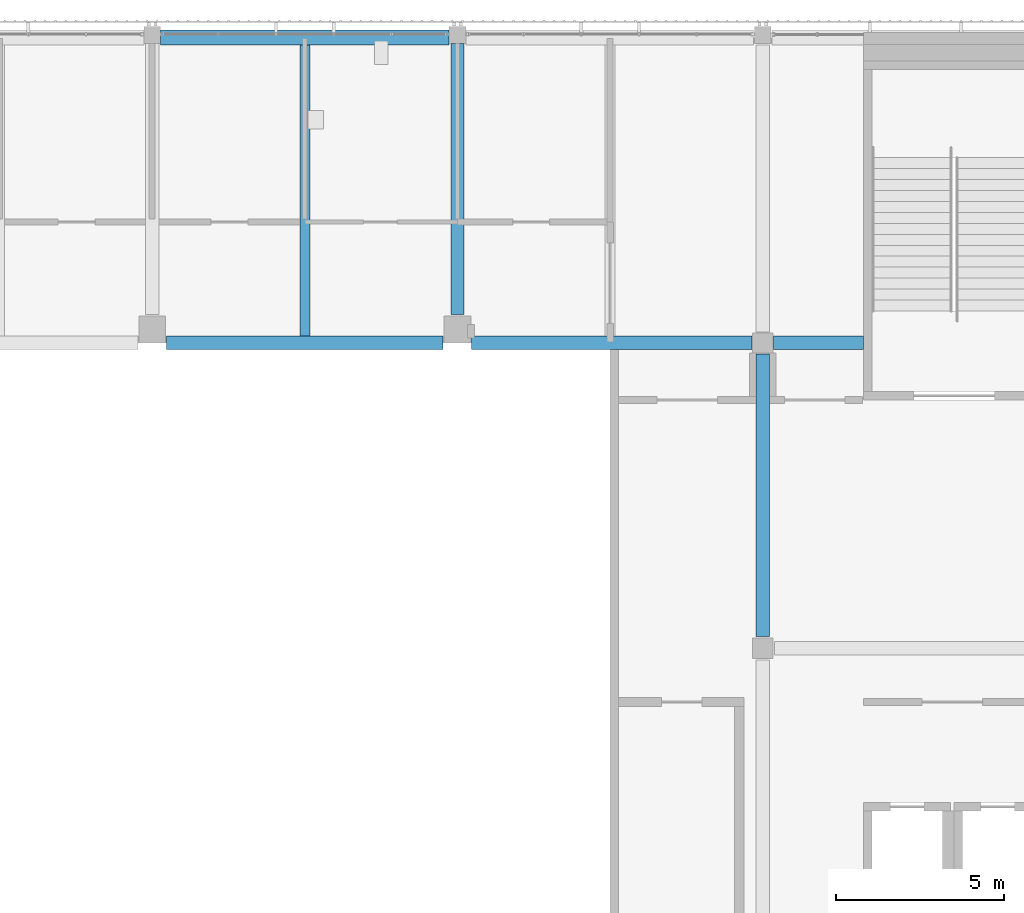
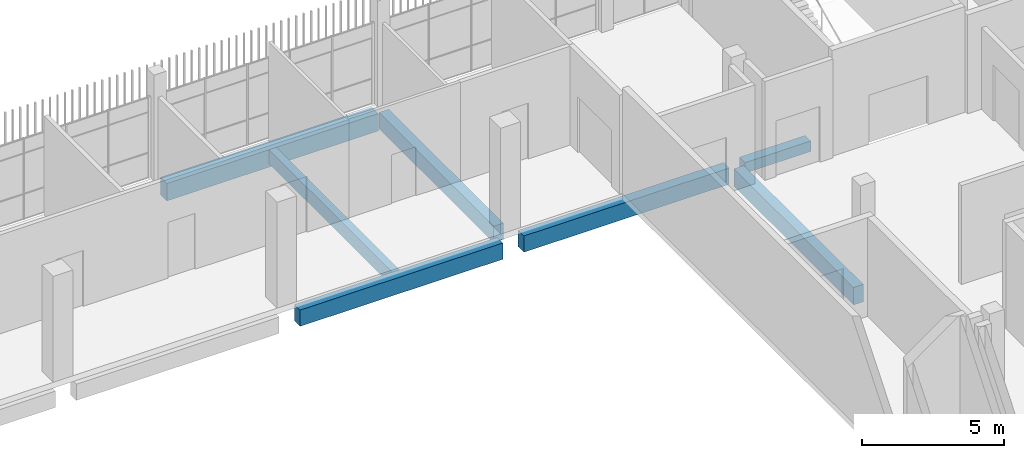
# One storey, part 45 of 124: 7 beams.
"""IFC4 building model written with IfcOpenShell, lengths in metres."""

import ifcopenshell
import ifcopenshell.guid

model = None  # the IFC model being written
_history = None  # IfcOwnerHistory: only IFC2X3 demands one
_inside = {}  # id of a spatial element -> (the spatial element, [elements in it])
_under = {}  # id of a project, library or spatial element -> (it, [spatial elements below it])
_declared = {}  # id of a project -> (the project, [libraries it declares])
_typed = {}  # id of a type object -> (the type object, [elements of that type])
_made_of = {}  # id of a material, layer set ... -> (it, [elements and type objects made of it])


def new_model(schema):
    """Start an empty IFC model of exactly this schema.

    Asked for "IFC4X3", IfcOpenShell would pick the latest addendum, in which some entities
    have other attributes; the version numbers below select the first issue.
    IFC2X3 requires an IfcOwnerHistory on every rooted entity: one is made here for all.
    """
    global model, _history
    if schema == "IFC4X3":
        model = ifcopenshell.file(schema_version=(4, 3, 0, 0))
    else:
        model = ifcopenshell.file(schema=schema)
    _inside.clear()
    _under.clear()
    _declared.clear()
    _typed.clear()
    _made_of.clear()
    _history = None
    if model.schema == "IFC2X3":
        org = make("IfcOrganization", Name="unknown")
        user = make(
            "IfcPersonAndOrganization",
            ThePerson=make("IfcPerson", FamilyName="unknown"),
            TheOrganization=org,
        )
        app = make(
            "IfcApplication",
            ApplicationDeveloper=org,
            Version="unknown",
            ApplicationFullName="unknown",
            ApplicationIdentifier="unknown",
        )
        _history = make(
            "IfcOwnerHistory",
            OwningUser=user,
            OwningApplication=app,
            ChangeAction="ADDED",
            CreationDate=0,
        )
    return model


def make(cls, **values):
    """One entity of the class cls with the attributes given. An attribute that is None is left unset."""
    return model.create_entity(
        cls, **{name: value for name, value in values.items() if value is not None}
    )


def rooted(cls, **values):
    """An entity with a GlobalId (a new one), such as an element, a storey or a relation."""
    return make(cls, GlobalId=ifcopenshell.guid.new(), OwnerHistory=_history, **values)


def si_unit(unit_type, name, prefix=None):
    """IfcSIUnit, for example si_unit("LENGTHUNIT", "METRE", prefix="MILLI")."""
    return make("IfcSIUnit", UnitType=unit_type, Prefix=prefix, Name=name)


def assignment(units):
    """IfcUnitAssignment: the units of a project."""
    return None if units is None else make("IfcUnitAssignment", Units=units)


def point(xyz):
    """IfcCartesianPoint."""
    return None if xyz is None else make("IfcCartesianPoint", Coordinates=xyz)


def direction(xyz):
    """IfcDirection."""
    return None if xyz is None else make("IfcDirection", DirectionRatios=xyz)


def frame(location, z_axis=None, x_axis=None):
    """IfcAxis2Placement3D, a coordinate frame: its origin and axes. An axis left out is left unset."""
    return make(
        "IfcAxis2Placement3D",
        Location=point(location),
        Axis=direction(z_axis),
        RefDirection=direction(x_axis),
    )


def frame_2d(location, x_axis=None):
    """IfcAxis2Placement2D, a coordinate frame in the plane: its origin and x axis."""
    return make(
        "IfcAxis2Placement2D", Location=point(location), RefDirection=direction(x_axis)
    )


def origin():
    """The frame at (0, 0, 0) with its axes left unset."""
    return frame((0.0, 0.0, 0.0))


def origin_2d():
    """The frame at (0, 0) in the plane with its x axis left unset."""
    return frame_2d((0.0, 0.0))


def place(relative_to, where):
    """IfcLocalPlacement: puts the frame where relative to a parent placement (None: the world)."""
    return make(
        "IfcLocalPlacement", PlacementRelTo=relative_to, RelativePlacement=where
    )


def context(
    kind, dimensions, precision=None, world=None, true_north=None, identifier=None
):
    """IfcGeometricRepresentationContext, for example the 3D "Model" context."""
    return make(
        "IfcGeometricRepresentationContext",
        ContextIdentifier=identifier,
        ContextType=kind,
        CoordinateSpaceDimension=dimensions,
        Precision=precision,
        WorldCoordinateSystem=world,
        TrueNorth=true_north,
    )


def subcontext(parent, identifier, kind, view, scale=None):
    """IfcGeometricRepresentationSubContext, for example "Body" below "Model"."""
    return make(
        "IfcGeometricRepresentationSubContext",
        ContextIdentifier=identifier,
        ContextType=kind,
        ParentContext=parent,
        TargetScale=scale,
        TargetView=view,
    )


def project(units=None, contexts=None):
    """IfcProject with its units and contexts."""
    return rooted(
        "IfcProject",
        Name="project",
        RepresentationContexts=contexts,
        UnitsInContext=assignment(units),
    )


def spatial(cls, under=None, at=None, **own):
    """A site, building, storey or space (cls), placed at a placement, below another one or the project."""
    s = rooted(cls, ObjectPlacement=at, **own)
    if under is not None:
        _under.setdefault(under.id(), (under, []))[1].append(s)
    return s


def profile(cls, at=None, kind="AREA", **sizes):
    """A parametric profile (cls). Its sizes go by their IFC names, for example OverallWidth=200.0."""
    return make(cls, ProfileType=kind, Position=at, **sizes)


def rectangle(**sizes):
    """IfcRectangleProfileDef."""
    return profile("IfcRectangleProfileDef", **sizes)


def extrude(swept, where, along, depth):
    """IfcExtrudedAreaSolid: the profile swept, set in the frame where, extruded along a direction by depth."""
    return make(
        "IfcExtrudedAreaSolid",
        SweptArea=swept,
        Position=where,
        ExtrudedDirection=direction(along),
        Depth=depth,
    )


def shape(context_of_items, identifier, shape_type, items):
    """IfcShapeRepresentation: the items that make up one representation, for example the "Body"."""
    return make(
        "IfcShapeRepresentation",
        ContextOfItems=context_of_items,
        RepresentationIdentifier=identifier,
        RepresentationType=shape_type,
        Items=items,
    )


def material(Name=None, Category=None):
    """IfcMaterial."""
    return make("IfcMaterial", Name=Name, Category=Category)


def material_profile(
    of_material, cross_section, Name=None, Category=None, Priority=None
):
    """IfcMaterialProfile: a cross section and its material."""
    return make(
        "IfcMaterialProfile",
        Name=Name,
        Material=of_material,
        Profile=cross_section,
        Priority=Priority,
        Category=Category,
    )


def profile_set(profiles, Name=None, composite=None):
    """IfcMaterialProfileSet."""
    return make(
        "IfcMaterialProfileSet",
        Name=Name,
        MaterialProfiles=profiles,
        CompositeProfile=composite,
    )


def made_of(thing, what):
    """Note that an element or type object is made of a material, layer set ...; save() writes the relation."""
    if what is not None:
        _made_of.setdefault(what.id(), (what, []))[1].append(thing)
    return thing


def type_object(cls, material=None, **own):
    """A type object (cls), such as IfcWallType, which elements share."""
    return made_of(rooted(cls, **own), material)


def element(
    cls,
    number,
    at=None,
    inside=None,
    cuts=None,
    type_object=None,
    material=None,
    context=None,
    identifier="Body",
    shape_type=None,
    held_by="IfcProductDefinitionShape",
    body=None,
    shapes=None,
    **own,
):
    """One element of the class cls, such as IfcWall. Its Tag is "e" and its number.

    at: its placement. inside: the storey or other place that contains it. cuts: it is an
    opening in that element (IfcRelVoidsElement). A single representation is given by context,
    identifier, shape_type and body (its items); several are given by shapes. held_by: the class
    of the entity that holds the representations. save() writes the other relations.
    """
    e = rooted(cls, Tag="e%d" % number, ObjectPlacement=at, **own)
    if body is not None:
        shapes = [shape(context, identifier, shape_type, body)]
    if shapes is not None:
        e.Representation = make(held_by, Representations=shapes)
    if inside is not None:
        _inside.setdefault(inside.id(), (inside, []))[1].append(e)
    if cuts is not None:
        rooted(
            "IfcRelVoidsElement", RelatingBuildingElement=cuts, RelatedOpeningElement=e
        )
    if type_object is not None:
        _typed.setdefault(type_object.id(), (type_object, []))[1].append(e)
    return made_of(e, material)


def aggregate(whole, parts):
    """IfcRelAggregates: a whole, such as a stair, and the parts it consists of."""
    return rooted("IfcRelAggregates", RelatingObject=whole, RelatedObjects=parts)


def save(model, path):
    """Write the relations noted so far, then the file.

    IfcRelAggregates (storeys below a building ...), IfcRelContainedInSpatialStructure (elements
    in a storey), IfcRelDefinesByType, IfcRelAssociatesMaterial and IfcRelDeclares: one each for
    every whole, place, type object, material and project.
    """
    for whole, parts in _under.values():
        aggregate(whole, parts)
    for where, things in _inside.values():
        rooted(
            "IfcRelContainedInSpatialStructure",
            RelatedElements=things,
            RelatingStructure=where,
        )
    for kind, things in _typed.values():
        rooted("IfcRelDefinesByType", RelatedObjects=things, RelatingType=kind)
    for what, things in _made_of.values():
        rooted("IfcRelAssociatesMaterial", RelatedObjects=things, RelatingMaterial=what)
    for by, libraries in _declared.values():
        rooted("IfcRelDeclares", RelatingContext=by, RelatedDefinitions=libraries)
    model.write(path)


model = new_model("IFC4")

# Units and contexts
model_context = context("Model", 3, precision=1e-05, world=origin(), true_north=direction((0.0, 1.0)))
body_context = subcontext(model_context, "Body", "Model", "MODEL_VIEW")
ifc_project = project(units=[si_unit("LENGTHUNIT", "METRE"), si_unit("AREAUNIT", "SQUARE_METRE"), si_unit("VOLUMEUNIT", "CUBIC_METRE"), si_unit("PLANEANGLEUNIT", "RADIAN"), si_unit("MASSUNIT", "GRAM", prefix="KILO")], contexts=[model_context])

# Site, building, storey
site_placement = place(None, origin())
site = spatial("IfcSite", under=ifc_project, at=site_placement, CompositionType="ELEMENT")
building_placement = place(site_placement, origin())
building = spatial("IfcBuilding", under=site, at=building_placement, Name="Shirokan Park Arena", CompositionType="ELEMENT")
storey_placement = place(building_placement, frame((0.0, 0.0, 20.02001953125)))
storey = spatial("IfcBuildingStorey", under=building, at=storey_placement, Name="L04", CompositionType="ELEMENT", Elevation=20.02001953125)

# Beams
ifc_material = material(Name="Concrete C35", Category="concrete")
ifc_material_profile_1 = material_profile(ifc_material, rectangle(XDim=0.39990234375, YDim=0.699951171875, at=origin_2d()), Name="400x700")
ifc_profile_set_1 = profile_set([ifc_material_profile_1], Name="Concrete C35")
beam_type_1 = type_object("IfcBeamType", Name="RC girder 400x700", PredefinedType="BEAM", material=ifc_profile_set_1)
beam_1_placement = place(storey_placement, frame((91.425048828125, 100.10009765625, -0.60009765625), z_axis=(1.0, 0.0, 0.0), x_axis=(0.0, 1.0, 0.0)))
element("IfcBeam", 1, at=beam_1_placement, inside=storey, type_object=beam_type_1, Name="Girder 11M-12M L04", PredefinedType="BEAM", context=body_context, shape_type="SweptSolid", body=[
    extrude(rectangle(XDim=0.39990234375, YDim=0.699951171875, at=origin_2d()), origin(), (0.0, 0.0, 1.0), 8.249755859375),
])
beam_2_placement = place(storey_placement, frame((100.525146484375, 100.10009765625, -0.60009765625), z_axis=(1.0, 0.0, 0.0), x_axis=(0.0, 1.0, 0.0)))
element("IfcBeam", 2, at=beam_2_placement, inside=storey, type_object=beam_type_1, Name="Girder 12M-13M L04", PredefinedType="BEAM", context=body_context, shape_type="SweptSolid", body=[
    extrude(rectangle(XDim=0.39990234375, YDim=0.699951171875, at=origin_2d()), origin(), (0.0, 0.0, 1.0), 8.349853515625),
])
beam_3_placement = place(storey_placement, frame((100.10009765625, 100.9501953125, -0.60009765625), z_axis=(0.0, 1.0, 0.0), x_axis=(-1.0, 0.0, 0.0)))
element("IfcBeam", 3, at=beam_3_placement, inside=storey, type_object=beam_type_1, Name="Girder 12M-12N L04", PredefinedType="BEAM", context=body_context, shape_type="SweptSolid", body=[
    extrude(rectangle(XDim=0.39990234375, YDim=0.699951171875, at=origin_2d()), origin(), (0.0, 0.0, 1.0), 8.07470703125),
])
ifc_material_profile_2 = material_profile(ifc_material, rectangle(XDim=0.39990234375, YDim=0.75, at=origin_2d()), Name="400x750")
ifc_profile_set_2 = profile_set([ifc_material_profile_2], Name="Concrete C35")
beam_type_2 = type_object("IfcBeamType", Name="RC girder 400x750", PredefinedType="BEAM", material=ifc_profile_set_2)
beam_4_placement = place(storey_placement, frame((109.199951171875, 91.35009765625, -0.625), z_axis=(0.0, 1.0, 0.0), x_axis=(-1.0, 0.0, 0.0)))
element("IfcBeam", 4, at=beam_4_placement, inside=storey, type_object=beam_type_2, Name="Girder 13L-13M L04", PredefinedType="BEAM", context=body_context, shape_type="SweptSolid", body=[
    extrude(rectangle(XDim=0.39990234375, YDim=0.75, at=origin_2d()), origin(), (0.0, 0.0, 1.0), 8.4248046875),
])
ifc_material_profile_3 = material_profile(ifc_material, rectangle(XDim=0.449951171875, YDim=0.75, at=origin_2d()), Name="450x750")
ifc_profile_set_3 = profile_set([ifc_material_profile_3], Name="Concrete C35")
beam_type_3 = type_object("IfcBeamType", Name="RC girder 450x750", PredefinedType="BEAM", material=ifc_profile_set_3)
beam_5_placement = place(storey_placement, frame((91.25, 109.199951171875, -0.625), z_axis=(1.0, 0.0, 0.0), x_axis=(0.0, 1.0, 0.0)))
element("IfcBeam", 5, at=beam_5_placement, inside=storey, type_object=beam_type_3, Name="Girder 11N-12N L04", PredefinedType="BEAM", context=body_context, shape_type="SweptSolid", body=[
    extrude(rectangle(XDim=0.449951171875, YDim=0.75, at=origin_2d()), origin(), (0.0, 0.0, 1.0), 8.599853515625),
])
ifc_material_profile_4 = material_profile(ifc_material, rectangle(XDim=0.300048828125, YDim=0.60009765625, at=origin_2d()), Name="300x600")
ifc_profile_set_4 = profile_set([ifc_material_profile_4], Name="Concrete C35")
beam_type_4 = type_object("IfcBeamType", Name="RC joist 300x600", PredefinedType="JOIST", material=ifc_profile_set_4)
beam_6_placement = place(storey_placement, frame((95.550048828125, 100.300048828125, -0.550048828125), z_axis=(0.0, 1.0, 0.0), x_axis=(-1.0, 0.0, 0.0)))
element("IfcBeam", 6, at=beam_6_placement, inside=storey, type_object=beam_type_4, Name="Joist 11M L04", PredefinedType="JOIST", context=body_context, shape_type="SweptSolid", body=[
    extrude(rectangle(XDim=0.300048828125, YDim=0.60009765625, at=origin_2d()), origin(), (0.0, 0.0, 1.0), 8.675048828125),
])
ifc_material_profile_5 = material_profile(ifc_material, rectangle(XDim=0.39990234375, YDim=0.449951171875, at=origin_2d()), Name="400x450")
ifc_profile_set_5 = profile_set([ifc_material_profile_5], Name="Concrete C35")
beam_type_5 = type_object("IfcBeamType", Name="RC trimmer 400x450", PredefinedType="BEAM", material=ifc_profile_set_5)
beam_7_placement = place(storey_placement, frame((109.525146484375, 100.10009765625, -0.47509765625), z_axis=(1.0, 0.0, 0.0), x_axis=(0.0, 1.0, 0.0)))
element("IfcBeam", 7, at=beam_7_placement, inside=storey, type_object=beam_type_5, Name="Girder 13M-14M L04", PredefinedType="BEAM", context=body_context, shape_type="SweptSolid", body=[
    extrude(rectangle(XDim=0.39990234375, YDim=0.449951171875, at=origin_2d()), origin(), (0.0, 0.0, 1.0), 2.6748046875),
])

save(model, "model.ifc")
